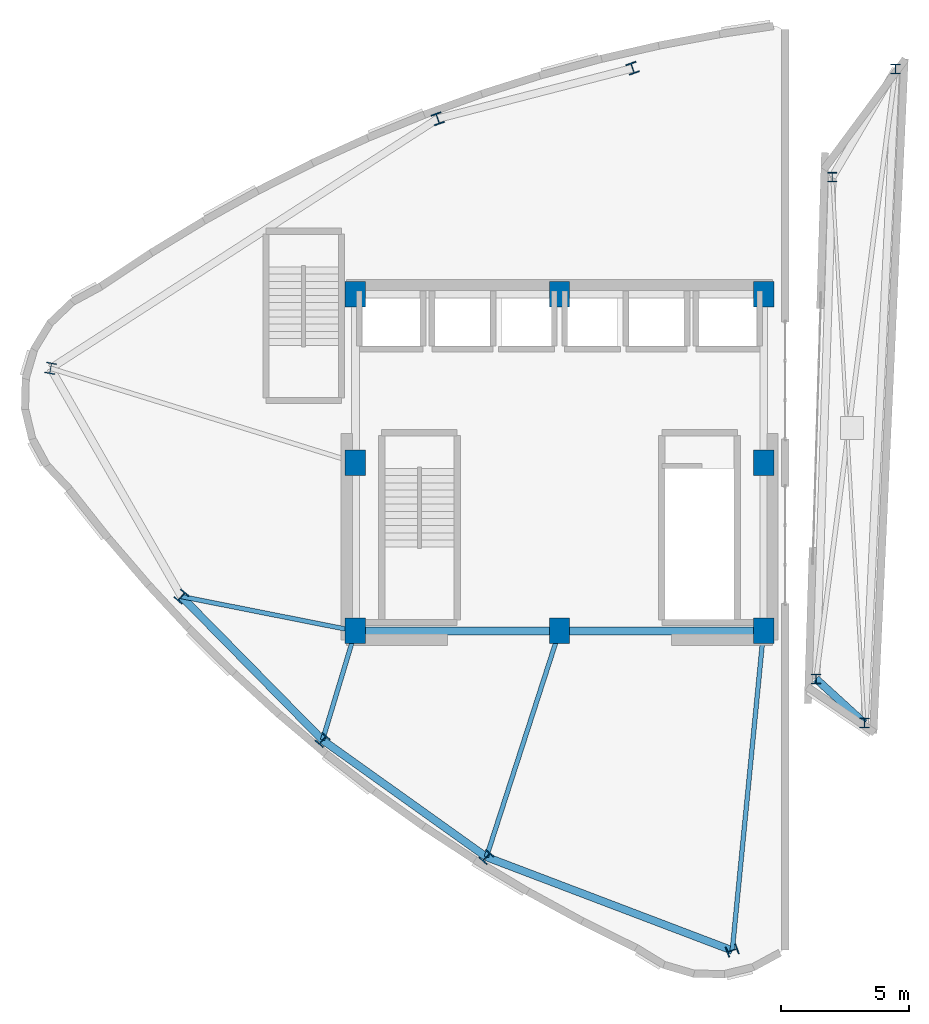
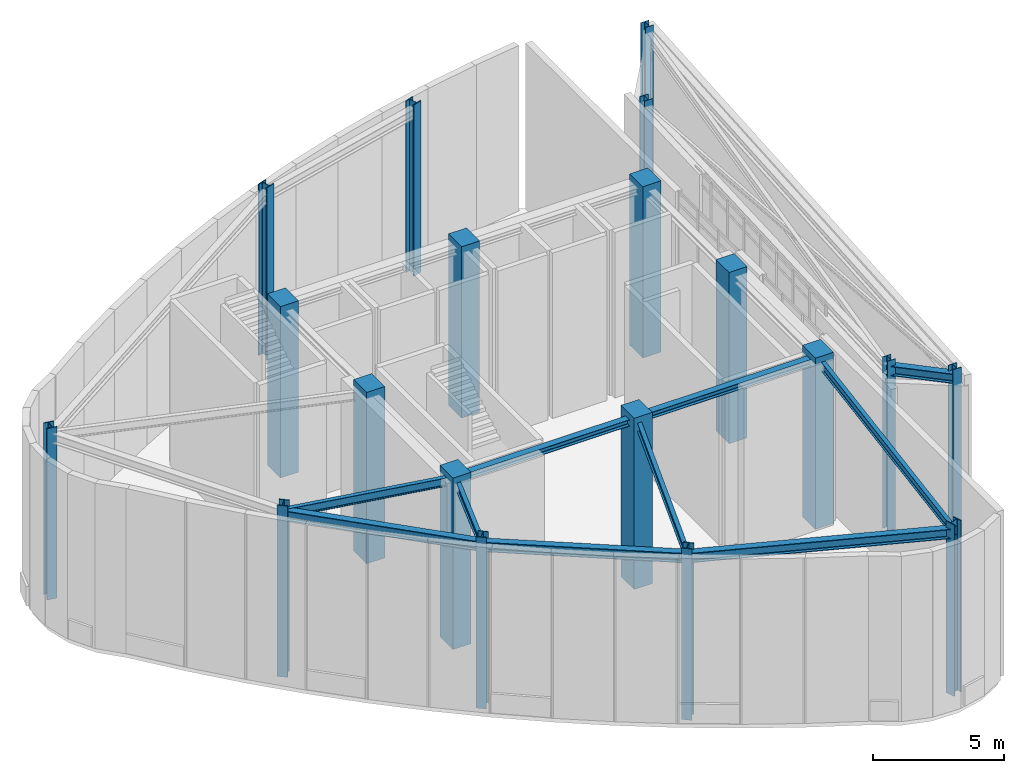
# One storey, part 1 of 12: 19 columns, 10 beams.
"""IFC4 building model written with IfcOpenShell, lengths in metres."""

from ifc_helpers import new_model, si_unit, direction, frame, origin, origin_2d, place, context, subcontext, project, spatial, rectangle, i_section, extrude, material, material_profile, profile_set, type_object, element, save


model = new_model("IFC4")

# Units and contexts
model_context = context("Model", 3, precision=1e-05, world=origin(), true_north=direction((0.0, 1.0)))
body_context = subcontext(model_context, "Body", "Model", "MODEL_VIEW")
ifc_project = project(units=[si_unit("LENGTHUNIT", "METRE"), si_unit("AREAUNIT", "SQUARE_METRE"), si_unit("VOLUMEUNIT", "CUBIC_METRE"), si_unit("PLANEANGLEUNIT", "RADIAN"), si_unit("MASSUNIT", "GRAM", prefix="KILO")], contexts=[model_context])

# Site, building, storey
site_placement = place(None, origin())
site = spatial("IfcSite", under=ifc_project, at=site_placement, CompositionType="ELEMENT")
building_placement = place(site_placement, origin())
building = spatial("IfcBuilding", under=site, at=building_placement, Name="Ndelora Gate Hotel", CompositionType="ELEMENT")
storey_placement = place(building_placement, frame((0.0, 0.0, 303.60009765625)))
storey = spatial("IfcBuildingStorey", under=building, at=storey_placement, Name="RF1", CompositionType="ELEMENT", Elevation=303.60009765625)

# Columns
ifc_material_1 = material(Name="Concrete C50/60", Category="concrete")
ifc_material_profile_1 = material_profile(ifc_material_1, rectangle(XDim=0.800048828125, YDim=1.0, at=origin_2d()), Name="RC 1000x800")
ifc_profile_set_1 = profile_set([ifc_material_profile_1], Name="Concrete C50/60")
column_type_1 = type_object("IfcColumnType", Name="COL-CC-HI", PredefinedType="COLUMN", material=ifc_profile_set_1)
for number, where, z_axis, x_axis, name in (
    (1, (-8.0, -6.60009765625, 0.0), (0.0, 0.0, 1.0), (1.0, 0.0, 0.0), "RF1 Core Column CC1"),
    (2, (0.0, -6.60009765625, 0.0), (0.0, 0.0, 1.0), (1.0, 0.0, 0.0), "RF1 Core Column CC2"),
    (3, (8.0, -6.60009765625, 0.0), (0.0, 0.0, 1.0), (1.0, 0.0, 0.0), "RF1 Core Column CC3"),
    (4, (8.0, 0.0, 0.0), (0.0, 0.0, 1.0), (1.0, 0.0, 0.0), "RF1 Core Column CC4"),
    (5, (8.0, 6.60009765625, 0.0), (0.0, 0.0, 1.0), (1.0, 0.0, 0.0), "RF1 Core Column CC5"),
    (6, (0.0, 6.60009765625, 0.0), (0.0, 0.0, 1.0), (1.0, 0.0, 0.0), "RF1 Core Column CC6"),
    (7, (-8.0, 6.60009765625, 0.0), (0.0, 0.0, 1.0), (1.0, 0.0, 0.0), "RF1 Core Column CC7"),
    (8, (-8.0, 0.0, 0.0), (0.0, 0.0, 1.0), (1.0, 0.0, 0.0), "RF1 Core Column CC8"),
):
    element("IfcColumn", number, at=place(storey_placement, frame(where, z_axis=z_axis, x_axis=x_axis)), inside=storey, type_object=column_type_1, Name=name, PredefinedType="COLUMN", context=body_context, shape_type="SweptSolid", body=[
        extrude(rectangle(XDim=0.800048828125, YDim=1.0, at=origin_2d()), origin(), (0.0, 0.0, 1.0), 8.0),
    ])
ifc_material_2 = material(Name="Steel S460", Category="steel")
ifc_material_profile_2 = material_profile(ifc_material_2, i_section(OverallWidth=0.412109375, OverallDepth=0.43505859375, WebThickness=0.02490234375, FlangeThickness=0.0400390625, FilletRadius=0.014892578125, at=origin_2d()), Name="HD 400x463")
ifc_profile_set_2 = profile_set([ifc_material_profile_2], Name="Steel S460")
column_type_2 = type_object("IfcColumnType", Name="COL-STL-CRN1", PredefinedType="COLUMN", material=ifc_profile_set_2)
for number, where, z_axis, x_axis, name in (
    (9, (-19.949951171875, 3.697509765625, 0.0), (0.0, 0.0, 1.0), (-0.983254907564, 0.182235525492, 0.0), "RF1 Corner Mega-Column R1"),
    (10, (-14.822509765625, -5.248779296875, 0.0), (0.0, 0.0, 1.0), (-0.7604059656, 0.64944804833, 0.0), "RF1 Perimeter Tube Column R2"),
    (11, (-9.2890625, -10.876220703125, 0.0), (0.0, 0.0, 1.0), (-0.7604059656, 0.64944804833, 0.0), "RF1 Perimeter Tube Column R3"),
    (12, (-2.865478515625, -15.461181640625, 0.0), (0.0, 0.0, 1.0), (-0.7604059656, 0.64944804833, 0.0), "RF1 Perimeter Tube Column R4"),
    (13, (6.772705078125, -19.1259765625, 0.0), (0.0, 0.0, 1.0), (-0.333806859234, 0.942641491092, 0.0), "RF1 Corner Mega-Column R5"),
    (14, (2.865478515625, 15.461181640625, 0.0), (0.0, 0.0, 1.0), (0.942641491092, 0.333806859234, 0.0), "RF1 Perimeter Tube Column R10"),
    (15, (-4.7744140625, 13.482666015625, 0.0), (0.0, 0.0, 1.0), (0.942641491092, 0.333806859234, 0.0), "RF1 Perimeter Tube Column R11"),
):
    element("IfcColumn", number, at=place(storey_placement, frame(where, z_axis=z_axis, x_axis=x_axis)), inside=storey, type_object=column_type_2, Name=name, PredefinedType="COLUMN", context=body_context, shape_type="SweptSolid", body=[
        extrude(i_section(OverallWidth=0.412109375, OverallDepth=0.43505859375, WebThickness=0.02490234375, FlangeThickness=0.0400390625, FilletRadius=0.014892578125, at=origin_2d()), origin(), (0.0, 0.0, 1.0), 8.0),
    ])
ifc_material_3 = material(Name="Steel S355", Category="steel")
ifc_material_profile_3 = material_profile(ifc_material_3, i_section(OverallWidth=0.3701171875, OverallDepth=0.3720703125, WebThickness=0.013916015625, FlangeThickness=0.022216796875, FilletRadius=0.014892578125, at=origin_2d()), Name="HD 360x196")
ifc_profile_set_3 = profile_set([ifc_material_profile_3], Name="Steel S355")
column_type_3 = type_object("IfcColumnType", Name="COL-STL-CRN4", PredefinedType="COLUMN", material=ifc_profile_set_3)
for number, where, z_axis, x_axis, name in (
    (16, (10.0576171875, -8.478271484375, 0.0), (0.0, 0.0, 1.0), (1.0, 0.0, 0.0), "RF1 East Crown Peak Column EP-1"),
    (17, (11.956787109375, -10.212158203125, 0.0), (0.0, 0.0, 1.0), (1.0, 0.0, 0.0), "RF1 East Crown Peak Column EP-2"),
    (18, (13.177001953125, 15.428466796875, 0.0), (0.0, 0.0, 1.0), (1.0, 0.0, 0.0), "RF1 East Crown Peak Column EP-3"),
    (19, (10.692138671875, 11.19091796875, 0.0), (0.0, 0.0, 1.0), (1.0, 0.0, 0.0), "RF1 East Crown Peak Column EP-4"),
):
    element("IfcColumn", number, at=place(storey_placement, frame(where, z_axis=z_axis, x_axis=x_axis)), inside=storey, type_object=column_type_3, Name=name, PredefinedType="COLUMN", context=body_context, shape_type="SweptSolid", body=[
        extrude(i_section(OverallWidth=0.3701171875, OverallDepth=0.3720703125, WebThickness=0.013916015625, FlangeThickness=0.022216796875, FilletRadius=0.014892578125, at=origin_2d()), origin(), (0.0, 0.0, 1.0), 8.0),
    ])

# Beams
ifc_material_profile_4 = material_profile(ifc_material_3, i_section(OverallWidth=0.300048828125, OverallDepth=0.300048828125, WebThickness=0.010986328125, FlangeThickness=0.01904296875, FilletRadius=0.027099609375, at=origin_2d()), Name="HEB 300")
ifc_profile_set_4 = profile_set([ifc_material_profile_4], Name="Steel S355")
beam_type_1 = type_object("IfcBeamType", Name="BM-CORE-300", PredefinedType="BEAM", material=ifc_profile_set_4)
for number, where, z_axis, x_axis, name in (
    (20, (-8.0, -6.60009765625, 7.56982421875), (1.0, 0.0, 0.0), (0.0, 1.0, 0.0), "RF1 Core Tie Girder CC1-CC2"),
    (21, (0.0, -6.60009765625, 7.56982421875), (1.0, 0.0, 0.0), (0.0, 1.0, 0.0), "RF1 Core Tie Girder CC2-CC3"),
):
    element("IfcBeam", number, at=place(storey_placement, frame(where, z_axis=z_axis, x_axis=x_axis)), inside=storey, type_object=beam_type_1, Name=name, PredefinedType="BEAM", context=body_context, shape_type="SweptSolid", body=[
        extrude(i_section(OverallWidth=0.300048828125, OverallDepth=0.300048828125, WebThickness=0.010986328125, FlangeThickness=0.01904296875, FilletRadius=0.027099609375, at=origin_2d()), origin(), (0.0, 0.0, 1.0), 8.0),
    ])
ifc_material_profile_5 = material_profile(ifc_material_3, i_section(OverallWidth=0.179931640625, OverallDepth=0.39990234375, WebThickness=0.008544921875, FlangeThickness=0.013427734375, FilletRadius=0.02099609375, at=origin_2d()), Name="IPE 400")
ifc_profile_set_5 = profile_set([ifc_material_profile_5], Name="Steel S355")
beam_type_2 = type_object("IfcBeamType", Name="BM-RAD-400", PredefinedType="BEAM", material=ifc_profile_set_5)
beam_1_placement = place(storey_placement, frame((-8.0, -6.60009765625, 7.52001953125), z_axis=(-0.980943509294, 0.194293158846, 0.0), x_axis=(-0.194293158846, -0.980943509294, 0.0)))
element("IfcBeam", 22, at=beam_1_placement, inside=storey, type_object=beam_type_2, Name="RF1 structural beam FB-5", PredefinedType="BEAM", context=body_context, shape_type="SweptSolid", body=[
    extrude(i_section(OverallWidth=0.179931640625, OverallDepth=0.39990234375, WebThickness=0.008544921875, FlangeThickness=0.013427734375, FilletRadius=0.02099609375, at=origin_2d()), origin(), (0.0, 0.0, 1.0), 6.955078125),
])
beam_2_placement = place(storey_placement, frame((-8.0, -6.60009765625, 7.52001953125), z_axis=(-0.288626468578, -0.957441779763, 0.0), x_axis=(0.957441779763, -0.288626468578, 0.0)))
element("IfcBeam", 23, at=beam_2_placement, inside=storey, type_object=beam_type_2, Name="RF1 structural beam FB-5", PredefinedType="BEAM", context=body_context, shape_type="SweptSolid", body=[
    extrude(i_section(OverallWidth=0.179931640625, OverallDepth=0.39990234375, WebThickness=0.008544921875, FlangeThickness=0.013427734375, FilletRadius=0.02099609375, at=origin_2d()), origin(), (0.0, 0.0, 1.0), 4.46630859375),
])
beam_3_placement = place(storey_placement, frame((0.0, -6.60009765625, 7.52001953125), z_axis=(-0.307689759964, -0.951486737487, 0.0), x_axis=(0.951486737487, -0.307689759964, 0.0)))
element("IfcBeam", 24, at=beam_3_placement, inside=storey, type_object=beam_type_2, Name="RF1 structural beam FB-5", PredefinedType="BEAM", context=body_context, shape_type="SweptSolid", body=[
    extrude(i_section(OverallWidth=0.179931640625, OverallDepth=0.39990234375, WebThickness=0.008544921875, FlangeThickness=0.013427734375, FilletRadius=0.02099609375, at=origin_2d()), origin(), (0.0, 0.0, 1.0), 9.31298828125),
])
beam_4_placement = place(storey_placement, frame((8.0, -6.60009765625, 7.52001953125), z_axis=(-0.097513783863, -0.995234174432, 0.0), x_axis=(0.995234174432, -0.097513783863, 0.0)))
element("IfcBeam", 25, at=beam_4_placement, inside=storey, type_object=beam_type_2, Name="RF1 structural beam FB-5", PredefinedType="BEAM", context=body_context, shape_type="SweptSolid", body=[
    extrude(i_section(OverallWidth=0.179931640625, OverallDepth=0.39990234375, WebThickness=0.008544921875, FlangeThickness=0.013427734375, FilletRadius=0.02099609375, at=origin_2d()), origin(), (0.0, 0.0, 1.0), 12.5859375),
])
ifc_material_profile_6 = material_profile(ifc_material_3, i_section(OverallWidth=0.300048828125, OverallDepth=0.449951171875, WebThickness=0.013916015625, FlangeThickness=0.02587890625, FilletRadius=0.027099609375, at=origin_2d()), Name="HEB 450")
ifc_profile_set_6 = profile_set([ifc_material_profile_6], Name="Steel S355")
beam_type_3 = type_object("IfcBeamType", Name="BM-RING-450", PredefinedType="SPANDREL", material=ifc_profile_set_6)
beam_5_placement = place(storey_placement, frame((-14.822509765625, -5.248779296875, 7.494873046875), z_axis=(0.701126845775, -0.713036567179, 0.0), x_axis=(0.713036567179, 0.701126845775, 0.0)))
element("IfcBeam", 26, at=beam_5_placement, inside=storey, type_object=beam_type_3, Name="RF1 structural beam RB-5", PredefinedType="SPANDREL", context=body_context, shape_type="SweptSolid", body=[
    extrude(i_section(OverallWidth=0.300048828125, OverallDepth=0.449951171875, WebThickness=0.013916015625, FlangeThickness=0.02587890625, FilletRadius=0.027099609375, at=origin_2d()), origin(), (0.0, 0.0, 1.0), 7.892333984375),
])
beam_6_placement = place(storey_placement, frame((-9.2890625, -10.876220703125, 7.494873046875), z_axis=(0.813931993272, -0.580960162428, 0.0), x_axis=(0.580960162428, 0.813931993272, 0.0)))
element("IfcBeam", 27, at=beam_6_placement, inside=storey, type_object=beam_type_3, Name="RF1 structural beam RB-5", PredefinedType="SPANDREL", context=body_context, shape_type="SweptSolid", body=[
    extrude(i_section(OverallWidth=0.300048828125, OverallDepth=0.449951171875, WebThickness=0.013916015625, FlangeThickness=0.02587890625, FilletRadius=0.027099609375, at=origin_2d()), origin(), (0.0, 0.0, 1.0), 7.89208984375),
])
beam_7_placement = place(storey_placement, frame((-2.865478515625, -15.461181640625, 7.494873046875), z_axis=(0.934709973152, -0.355411403997, 0.0), x_axis=(0.355411403997, 0.934709973152, 0.0)))
element("IfcBeam", 28, at=beam_7_placement, inside=storey, type_object=beam_type_3, Name="RF1 structural beam RB-5", PredefinedType="SPANDREL", context=body_context, shape_type="SweptSolid", body=[
    extrude(i_section(OverallWidth=0.300048828125, OverallDepth=0.449951171875, WebThickness=0.013916015625, FlangeThickness=0.02587890625, FilletRadius=0.027099609375, at=origin_2d()), origin(), (0.0, 0.0, 1.0), 10.3115234375),
])
beam_8_placement = place(storey_placement, frame((10.0576171875, -8.478271484375, 7.494873046875), z_axis=(0.738512212633, -0.674240099514, 0.0), x_axis=(0.674240099514, 0.738512212633, 0.0)))
element("IfcBeam", 29, at=beam_8_placement, inside=storey, type_object=beam_type_3, Name="RF1 structural beam RB-5", PredefinedType="SPANDREL", context=body_context, shape_type="SweptSolid", body=[
    extrude(i_section(OverallWidth=0.300048828125, OverallDepth=0.449951171875, WebThickness=0.013916015625, FlangeThickness=0.02587890625, FilletRadius=0.027099609375, at=origin_2d()), origin(), (0.0, 0.0, 1.0), 2.571533203125),
])

save(model, "model.ifc")
